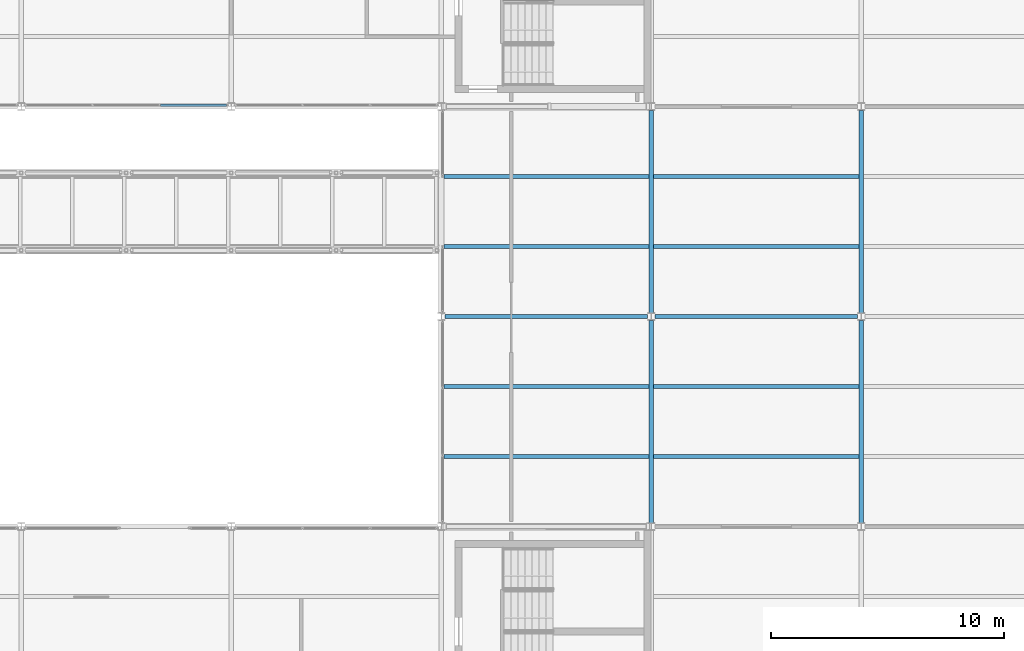
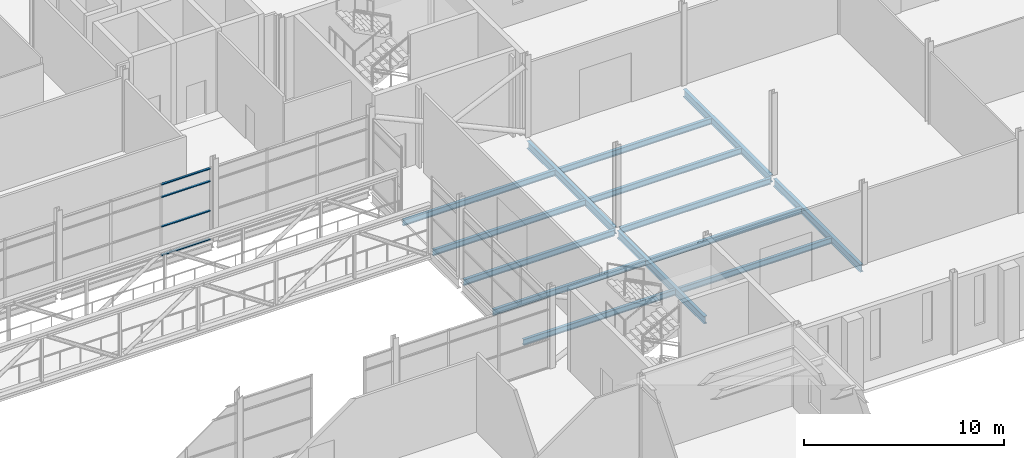
# One storey, part 66 of 115: 14 beams, 4 members, 1 element without a shape of its own.
"""IFC4 building model written with IfcOpenShell, lengths in metres."""

from ifc_helpers import new_model, si_unit, direction, frame, origin, origin_2d, place, context, subcontext, project, spatial, hollow_rectangle, i_section, extrude, material, layer, layer_set, material_profile, profile_set, type_object, element, aggregate, save


model = new_model("IFC4")

# Units and contexts
model_context = context("Model", 3, precision=1e-05, world=origin(), true_north=direction((0.0, 1.0)))
body_context = subcontext(model_context, "Body", "Model", "MODEL_VIEW")
ifc_project = project(units=[si_unit("LENGTHUNIT", "METRE"), si_unit("AREAUNIT", "SQUARE_METRE"), si_unit("VOLUMEUNIT", "CUBIC_METRE"), si_unit("PLANEANGLEUNIT", "RADIAN"), si_unit("MASSUNIT", "GRAM", prefix="KILO")], contexts=[model_context])

# Site, building, storey
site_placement = place(None, origin())
site = spatial("IfcSite", under=ifc_project, at=site_placement, CompositionType="ELEMENT")
building_placement = place(site_placement, origin())
building = spatial("IfcBuilding", under=site, at=building_placement, Name="Shorebreak Coast Museum", CompositionType="ELEMENT")
storey_placement = place(building_placement, frame((0.0, 0.0, 11.0)))
storey = spatial("IfcBuildingStorey", under=building, at=storey_placement, Name="L02", CompositionType="ELEMENT", Elevation=11.0)

# Beams
ifc_material_1 = material(Name="Steel Grade 300", Category="steel")
ifc_material_profile_1 = material_profile(ifc_material_1, i_section(OverallWidth=0.1708984375, OverallDepth=0.355712890625, WebThickness=0.00732421875, FlangeThickness=0.011474609375, FilletRadius=0.011474609375, at=origin_2d()), Name="360UB50.7")
ifc_profile_set_1 = profile_set([ifc_material_profile_1], Name="Steel Grade 300")
beam_type_1 = type_object("IfcBeamType", Name="Floor girder east-west 360UB50.7", PredefinedType="BEAM", material=ifc_profile_set_1)
beam_1_placement = place(storey_placement, frame((117.154541015625, 72.0, -0.352783203125), z_axis=(1.0, 0.0, 0.0), x_axis=(0.0, 1.0, 0.0)))
element("IfcBeam", 1, at=beam_1_placement, inside=storey, type_object=beam_type_1, Name="Floor girder east-west L02 14J", PredefinedType="BEAM", context=body_context, shape_type="SweptSolid", body=[
    extrude(i_section(OverallWidth=0.1708984375, OverallDepth=0.355712890625, WebThickness=0.00732421875, FlangeThickness=0.011474609375, FilletRadius=0.011474609375, at=origin_2d()), origin(), (0.0, 0.0, 1.0), 8.69091796875),
])
ifc_material_2 = material(Name="Steel Grade 300", Category="steel")
ifc_material_profile_2 = material_profile(ifc_material_2, i_section(OverallWidth=0.172119140625, OverallDepth=0.358642578125, WebThickness=0.008056640625, FlangeThickness=0.012939453125, FilletRadius=0.011474609375, at=origin_2d()), Name="360UB56.7")
ifc_profile_set_2 = profile_set([ifc_material_profile_2], Name="Steel Grade 300")
beam_type_2 = type_object("IfcBeamType", Name="Floor girder east-west 360UB56.7", PredefinedType="BEAM", material=ifc_profile_set_2)
beam_2_placement = place(storey_placement, frame((108.155517578125, 72.0, -0.354248046875), z_axis=(1.0, 0.0, 0.0), x_axis=(0.0, 1.0, 0.0)))
element("IfcBeam", 2, at=beam_2_placement, inside=storey, type_object=beam_type_2, Name="Floor girder east-west L02 13J", PredefinedType="BEAM", context=body_context, shape_type="SweptSolid", body=[
    extrude(i_section(OverallWidth=0.172119140625, OverallDepth=0.358642578125, WebThickness=0.008056640625, FlangeThickness=0.012939453125, FilletRadius=0.011474609375, at=origin_2d()), origin(), (0.0, 0.0, 1.0), 8.68994140625),
])
ifc_material_3 = material(Name="Steel Grade 300", Category="steel")
ifc_material_profile_3 = material_profile(ifc_material_3, i_section(OverallWidth=0.19091796875, OverallDepth=0.46044921875, WebThickness=0.010009765625, FlangeThickness=0.01611328125, FilletRadius=0.011474609375, at=origin_2d()), Name="460UB82.1")
ifc_profile_set_3 = profile_set([ifc_material_profile_3], Name="Steel Grade 300")
beam_type_3 = type_object("IfcBeamType", Name="Floor girder north-south 460UB82.1", PredefinedType="BEAM", material=ifc_profile_set_3)
for number, where, z_axis, x_axis, name in (
    (3, (117.0, 63.160400390625, -0.4052734375), (0.0, 1.0, 0.0), (-1.0, 0.0, 0.0), "Floor girder north-south L02 14H"),
    (4, (126.0, 63.160400390625, -0.4052734375), (0.0, 1.0, 0.0), (-1.0, 0.0, 0.0), "Floor girder north-south L02 15H"),
    (5, (117.0, 72.160400390625, -0.4052734375), (0.0, 1.0, 0.0), (-1.0, 0.0, 0.0), "Floor girder north-south L02 14J"),
    (6, (126.0, 72.160400390625, -0.4052734375), (0.0, 1.0, 0.0), (-1.0, 0.0, 0.0), "Floor girder north-south L02 15J"),
):
    element("IfcBeam", number, at=place(storey_placement, frame(where, z_axis=z_axis, x_axis=x_axis)), inside=storey, type_object=beam_type_3, Name=name, PredefinedType="BEAM", context=body_context, shape_type="SweptSolid", body=[
        extrude(i_section(OverallWidth=0.19091796875, OverallDepth=0.46044921875, WebThickness=0.010009765625, FlangeThickness=0.01611328125, FilletRadius=0.011474609375, at=origin_2d()), origin(), (0.0, 0.0, 1.0), 8.67919921875),
    ])
ifc_material_4 = material(Name="Steel Grade 300", Category="steel")
ifc_material_profile_4 = material_profile(ifc_material_4, i_section(OverallWidth=0.1708984375, OverallDepth=0.35205078125, WebThickness=0.0068359375, FlangeThickness=0.009765625, FilletRadius=0.011474609375, at=origin_2d()), Name="360UB44.7")
ifc_profile_set_4 = profile_set([ifc_material_profile_4], Name="Steel Grade 300")
beam_type_4 = type_object("IfcBeamType", Name="Floor joist 360UB44.7", PredefinedType="JOIST", material=ifc_profile_set_4)
for number, where, z_axis, x_axis, name in (
    (7, (108.114013671875, 66.0, -0.35107421875), (1.0, 0.0, 0.0), (0.0, 1.0, 0.0), "Floor joist L02 bay 13H at 3000 mm"),
    (8, (108.114013671875, 69.0, -0.35107421875), (1.0, 0.0, 0.0), (0.0, 1.0, 0.0), "Floor joist L02 bay 13H at 6000 mm"),
):
    element("IfcBeam", number, at=place(storey_placement, frame(where, z_axis=z_axis, x_axis=x_axis)), inside=storey, type_object=beam_type_4, Name=name, PredefinedType="JOIST", context=body_context, shape_type="SweptSolid", body=[
        extrude(i_section(OverallWidth=0.1708984375, OverallDepth=0.35205078125, WebThickness=0.0068359375, FlangeThickness=0.009765625, FilletRadius=0.011474609375, at=origin_2d()), origin(), (0.0, 0.0, 1.0), 8.79052734375),
    ])
for number, where, z_axis, x_axis, name in (
    (9, (108.114501953125, 75.0, -0.35107421875), (1.0, 0.0, 0.0), (0.0, 1.0, 0.0), "Floor joist L02 bay 13J at 3000 mm"),
    (10, (108.114501953125, 78.0, -0.35107421875), (1.0, 0.0, 0.0), (0.0, 1.0, 0.0), "Floor joist L02 bay 13J at 6000 mm"),
):
    element("IfcBeam", number, at=place(storey_placement, frame(where, z_axis=z_axis, x_axis=x_axis)), inside=storey, type_object=beam_type_4, Name=name, PredefinedType="JOIST", context=body_context, shape_type="SweptSolid", body=[
        extrude(i_section(OverallWidth=0.1708984375, OverallDepth=0.35205078125, WebThickness=0.0068359375, FlangeThickness=0.009765625, FilletRadius=0.011474609375, at=origin_2d()), origin(), (0.0, 0.0, 1.0), 8.7900390625),
    ])
ifc_material_5 = material(Name="Steel Grade 300", Category="steel")
ifc_material_profile_5 = material_profile(ifc_material_5, i_section(OverallWidth=0.1708984375, OverallDepth=0.355712890625, WebThickness=0.00732421875, FlangeThickness=0.011474609375, FilletRadius=0.011474609375, at=origin_2d()), Name="360UB50.7")
ifc_profile_set_5 = profile_set([ifc_material_profile_5], Name="Steel Grade 300")
beam_type_5 = type_object("IfcBeamType", Name="Floor joist 360UB50.7", PredefinedType="JOIST", material=ifc_profile_set_5)
for number, where, z_axis, x_axis, name in (
    (11, (117.095458984375, 66.0, -0.352783203125), (1.0, 0.0, 0.0), (0.0, 1.0, 0.0), "Floor joist L02 bay 14H at 3000 mm"),
    (12, (117.095458984375, 69.0, -0.352783203125), (1.0, 0.0, 0.0), (0.0, 1.0, 0.0), "Floor joist L02 bay 14H at 6000 mm"),
    (13, (117.095458984375, 75.0, -0.352783203125), (1.0, 0.0, 0.0), (0.0, 1.0, 0.0), "Floor joist L02 bay 14J at 3000 mm"),
    (14, (117.095458984375, 78.0, -0.352783203125), (1.0, 0.0, 0.0), (0.0, 1.0, 0.0), "Floor joist L02 bay 14J at 6000 mm"),
):
    element("IfcBeam", number, at=place(storey_placement, frame(where, z_axis=z_axis, x_axis=x_axis)), inside=storey, type_object=beam_type_5, Name=name, PredefinedType="JOIST", context=body_context, shape_type="SweptSolid", body=[
        extrude(i_section(OverallWidth=0.1708984375, OverallDepth=0.355712890625, WebThickness=0.00732421875, FlangeThickness=0.011474609375, FilletRadius=0.011474609375, at=origin_2d()), origin(), (0.0, 0.0, 1.0), 8.80908203125),
    ])

# Curtain wall, members
ifc_material_6 = material(Name="Aluminium", Category="aluminium")
ifc_layer = layer(ifc_material_6, 0.1201171875)
ifc_layer_set = layer_set([ifc_layer], Name="Aluminium")
curtain_wall_type = type_object("IfcCurtainWallType", Name="Atrium fire screen", PredefinedType="NOTDEFINED", material=ifc_layer_set)
curtain_wall_placement = place(storey_placement, origin())
curtain_wall = element("IfcCurtainWall", 15, at=curtain_wall_placement, inside=storey, type_object=curtain_wall_type, Name="Atrium screen L02 N 25", PredefinedType="NOTDEFINED")
ifc_material_7 = material(Name="Aluminium", Category="aluminium")
ifc_material_profile_6 = material_profile(ifc_material_7, hollow_rectangle(XDim=0.1201171875, YDim=0.06005859375, WallThickness=0.00341796875, at=origin_2d()), Name="AL 60x120 RHS")
ifc_profile_set_6 = profile_set([ifc_material_profile_6], Name="Aluminium")
member_type = type_object("IfcMemberType", Name="Screen transom 120 x 50", PredefinedType="USERDEFINED", material=ifc_profile_set_6)
member_1_placement = place(storey_placement, frame((95.97314453125, 81.06005859375, 0.06005859375), z_axis=(1.0, 0.0, 0.0), x_axis=(0.0, 1.0, 0.0)))
member_1 = element("IfcMember", 16, at=member_1_placement, type_object=member_type, Name="CW5 transom 3.1", ObjectType="TRANSOM", PredefinedType="USERDEFINED", context=body_context, shape_type="SweptSolid", body=[
    extrude(hollow_rectangle(XDim=0.1201171875, YDim=0.06005859375, WallThickness=0.00341796875, at=origin_2d()), origin(), (0.0, 0.0, 1.0), 2.8212890625),
])
member_2_placement = place(storey_placement, frame((95.97314453125, 81.06005859375, 1.800048828125), z_axis=(1.0, 0.0, 0.0), x_axis=(0.0, 1.0, 0.0)))
member_2 = element("IfcMember", 17, at=member_2_placement, type_object=member_type, Name="CW5 transom 3.2", ObjectType="TRANSOM", PredefinedType="USERDEFINED", context=body_context, shape_type="SweptSolid", body=[
    extrude(hollow_rectangle(XDim=0.1201171875, YDim=0.06005859375, WallThickness=0.00341796875, at=origin_2d()), origin(), (0.0, 0.0, 1.0), 2.8212890625),
])
member_3_placement = place(storey_placement, frame((95.97314453125, 81.06005859375, 3.60009765625), z_axis=(1.0, 0.0, 0.0), x_axis=(0.0, 1.0, 0.0)))
member_3 = element("IfcMember", 18, at=member_3_placement, type_object=member_type, Name="CW5 transom 3.3", ObjectType="TRANSOM", PredefinedType="USERDEFINED", context=body_context, shape_type="SweptSolid", body=[
    extrude(hollow_rectangle(XDim=0.1201171875, YDim=0.06005859375, WallThickness=0.00341796875, at=origin_2d()), origin(), (0.0, 0.0, 1.0), 2.8212890625),
])
member_4_placement = place(storey_placement, frame((95.97314453125, 81.06005859375, 4.3623046875), z_axis=(1.0, 0.0, 0.0), x_axis=(0.0, 1.0, 0.0)))
member_4 = element("IfcMember", 19, at=member_4_placement, type_object=member_type, Name="CW5 transom 3.4", ObjectType="TRANSOM", PredefinedType="USERDEFINED", context=body_context, shape_type="SweptSolid", body=[
    extrude(hollow_rectangle(XDim=0.1201171875, YDim=0.06005859375, WallThickness=0.00341796875, at=origin_2d()), origin(), (0.0, 0.0, 1.0), 2.8212890625),
])
aggregate(curtain_wall, [member_1, member_2, member_3, member_4])

save(model, "model.ifc")
